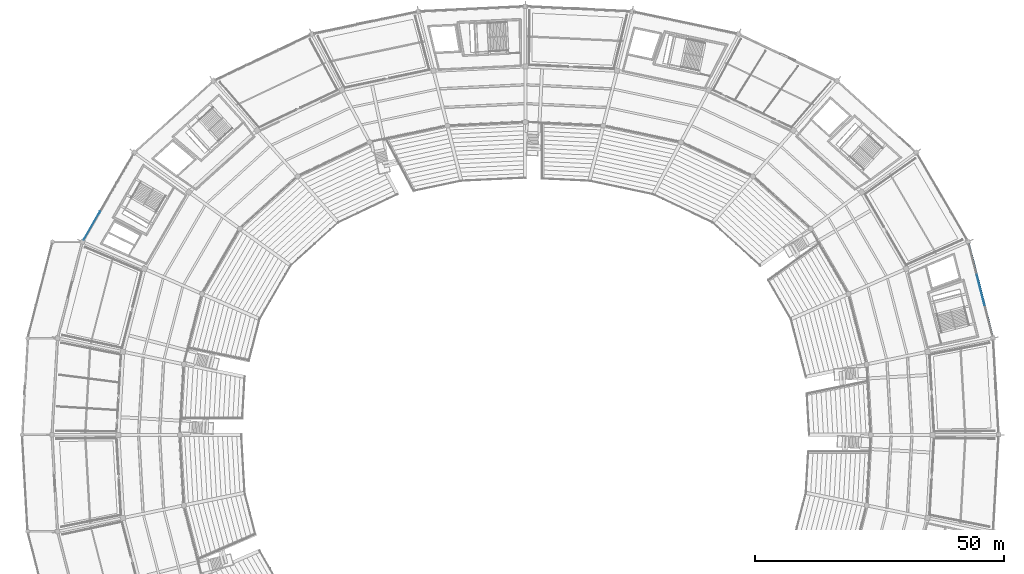
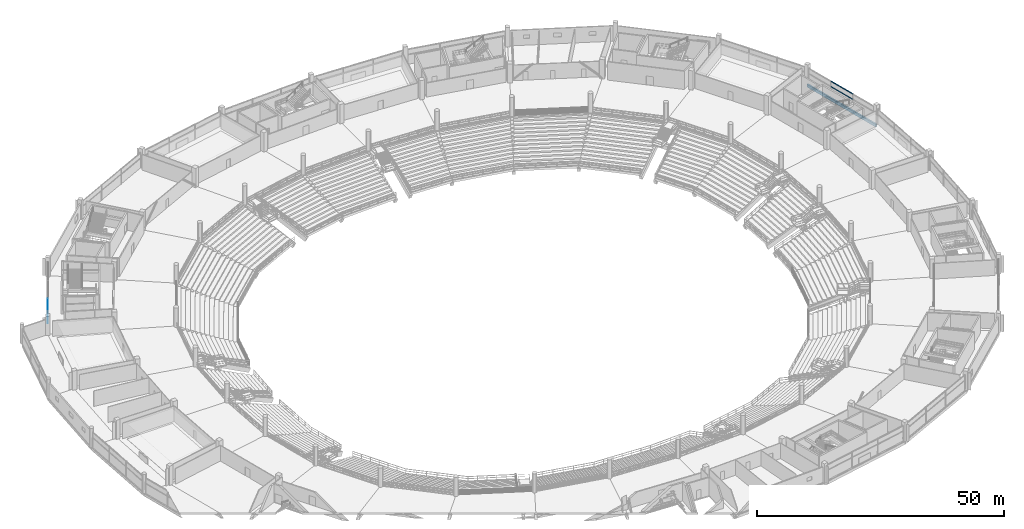
# One storey, part 65 of 156: 4 members, 1 beam, 2 elements without a shape of their own.
"""IFC4 building model written with IfcOpenShell, lengths in metres."""

from ifc_helpers import new_model, si_unit, direction, frame, origin, origin_2d, place, context, subcontext, project, spatial, rectangle, hollow_rectangle, extrude, material, layer, layer_set, material_profile, profile_set, type_object, element, aggregate, save


model = new_model("IFC4")

# Units and contexts
model_context = context("Model", 3, precision=1e-05, world=origin(), true_north=direction((0.0, 1.0)))
body_context = subcontext(model_context, "Body", "Model", "MODEL_VIEW")
ifc_project = project(units=[si_unit("LENGTHUNIT", "METRE"), si_unit("AREAUNIT", "SQUARE_METRE"), si_unit("VOLUMEUNIT", "CUBIC_METRE"), si_unit("PLANEANGLEUNIT", "RADIAN"), si_unit("MASSUNIT", "GRAM", prefix="KILO")], contexts=[model_context])

# Site, building, storey
site_placement = place(None, origin())
site = spatial("IfcSite", under=ifc_project, at=site_placement, CompositionType="ELEMENT")
building_placement = place(site_placement, origin())
building = spatial("IfcBuilding", under=site, at=building_placement, Name="Kazemori Nagisa Stadium", CompositionType="ELEMENT")
storey_placement = place(building_placement, frame((0.0, 0.0, 5.780029296875)))
storey = spatial("IfcBuildingStorey", under=building, at=storey_placement, Name="L01", CompositionType="ELEMENT", Elevation=5.780029296875)

# Beam
ifc_material_1 = material(Name="Concrete C40/50 (Fc42)", Category="concrete")
ifc_material_profile_1 = material_profile(ifc_material_1, rectangle(XDim=0.35009765625, YDim=0.699951171875, at=origin_2d()), Name="RC-SP-350x700")
ifc_profile_set_1 = profile_set([ifc_material_profile_1], Name="Concrete C40/50 (Fc42)")
beam_type = type_object("IfcBeamType", Name="Beam_BS-RC350X700", PredefinedType="SPANDREL", material=ifc_profile_set_1)
beam_placement = place(storey_placement, frame((216.880859375, 121.397705078125, -0.630126953125), z_axis=(-0.249964097999, 0.968255105699, 0.0), x_axis=(-0.968255105699, -0.249964097999, 0.0)))
element("IfcBeam", 1, at=beam_placement, inside=storey, type_object=beam_type, Name="Ring girder BS-RC350X700 L01 R3-02", PredefinedType="SPANDREL", context=body_context, shape_type="SweptSolid", body=[
    extrude(rectangle(XDim=0.35009765625, YDim=0.699951171875, at=origin_2d()), origin(), (0.0, 0.0, 1.0), 19.986328125),
])

# Curtain wall, members
ifc_material_2 = material(Name="Anodised aluminium 6063-T5", Category="aluminium")
ifc_layer_1 = layer(ifc_material_2, 0.179931640625, Name="Anodised aluminium 6063-T5", Category="aluminium")
ifc_layer_set_1 = layer_set([ifc_layer_1], Name="Anodised aluminium 6063-T5")
curtain_wall_type_1 = type_object("IfcCurtainWallType", Name="CW_L01R3_96", PredefinedType="USERDEFINED", material=ifc_layer_set_1)
curtain_wall_1_placement = place(storey_placement, origin())
curtain_wall_1 = element("IfcCurtainWall", 2, at=curtain_wall_1_placement, inside=storey, type_object=curtain_wall_type_1, Name="Unitised curtain wall CW-L01R3-96 L01", ObjectType="UNITISED CURTAIN WALL", PredefinedType="USERDEFINED")
ifc_material_3 = material(Name="Aluminium 6063-T5 anodised", Category="aluminium")
ifc_material_profile_2 = material_profile(ifc_material_3, hollow_rectangle(XDim=0.070068359375, YDim=0.139892578125, WallThickness=0.00390625, at=origin_2d()), Name="ALU-TRAN-70x140x4")
ifc_profile_set_2 = profile_set([ifc_material_profile_2], Name="Aluminium 6063-T5 anodised")
member_type = type_object("IfcMemberType", Name="Transom_T01", PredefinedType="USERDEFINED", material=ifc_profile_set_2)
member_1_placement = place(storey_placement, frame((215.1708984375, 128.02099609375, 2.4638671875), z_axis=(-0.249971699633, 0.968253143234, 0.0), x_axis=(-0.968253143234, -0.249971699633, 0.0)))
member_1 = element("IfcMember", 3, at=member_1_placement, type_object=member_type, Name="Curtain wall transom CW-L01R3-96-T2-mid", ObjectType="TRANSOM", PredefinedType="USERDEFINED", context=body_context, shape_type="SweptSolid", body=[
    extrude(hollow_rectangle(XDim=0.070068359375, YDim=0.139892578125, WallThickness=0.00390625, at=origin_2d()), origin(), (0.0, 0.0, 1.0), 6.305419921875),
])
member_2_placement = place(storey_placement, frame((215.1708984375, 128.02099609375, 3.780029296875), z_axis=(-0.249971699633, 0.968253143234, 0.0), x_axis=(-0.968253143234, -0.249971699633, 0.0)))
member_2 = element("IfcMember", 4, at=member_2_placement, type_object=member_type, Name="Curtain wall transom CW-L01R3-96-T2-head", ObjectType="TRANSOM", PredefinedType="USERDEFINED", context=body_context, shape_type="SweptSolid", body=[
    extrude(hollow_rectangle(XDim=0.070068359375, YDim=0.139892578125, WallThickness=0.00390625, at=origin_2d()), origin(), (0.0, 0.0, 1.0), 6.305419921875),
])
aggregate(curtain_wall_1, [member_1, member_2])

ifc_layer_2 = layer(ifc_material_2, 0.179931640625, Name="Anodised aluminium 6063-T5", Category="aluminium")
ifc_layer_set_2 = layer_set([ifc_layer_2], Name="Anodised aluminium 6063-T5")
curtain_wall_type_2 = type_object("IfcCurtainWallType", Name="CW_L01R3_99", PredefinedType="USERDEFINED", material=ifc_layer_set_2)
curtain_wall_2_placement = place(storey_placement, origin())
curtain_wall_2 = element("IfcCurtainWall", 5, at=curtain_wall_2_placement, inside=storey, type_object=curtain_wall_type_2, Name="Unitised curtain wall CW-L01R3-99 L01", ObjectType="UNITISED CURTAIN WALL", PredefinedType="USERDEFINED")
member_3_placement = place(storey_placement, frame((37.647705078125, 146.841796875, 2.4638671875), z_axis=(-0.501634382126, -0.865079734284, 0.0), x_axis=(0.865079734284, -0.501634382126, 0.0)))
member_3 = element("IfcMember", 6, at=member_3_placement, type_object=member_type, Name="Curtain wall transom CW-L01R3-99-T3-mid", ObjectType="TRANSOM", PredefinedType="USERDEFINED", context=body_context, shape_type="SweptSolid", body=[
    extrude(hollow_rectangle(XDim=0.070068359375, YDim=0.139892578125, WallThickness=0.00390625, at=origin_2d()), origin(), (0.0, 0.0, 1.0), 6.54736328125),
])
member_4_placement = place(storey_placement, frame((37.647705078125, 146.841796875, 3.780029296875), z_axis=(-0.501634382126, -0.865079734284, 0.0), x_axis=(0.865079734284, -0.501634382126, 0.0)))
member_4 = element("IfcMember", 7, at=member_4_placement, type_object=member_type, Name="Curtain wall transom CW-L01R3-99-T3-head", ObjectType="TRANSOM", PredefinedType="USERDEFINED", context=body_context, shape_type="SweptSolid", body=[
    extrude(hollow_rectangle(XDim=0.070068359375, YDim=0.139892578125, WallThickness=0.00390625, at=origin_2d()), origin(), (0.0, 0.0, 1.0), 6.54736328125),
])
aggregate(curtain_wall_2, [member_3, member_4])

save(model, "model.ifc")
